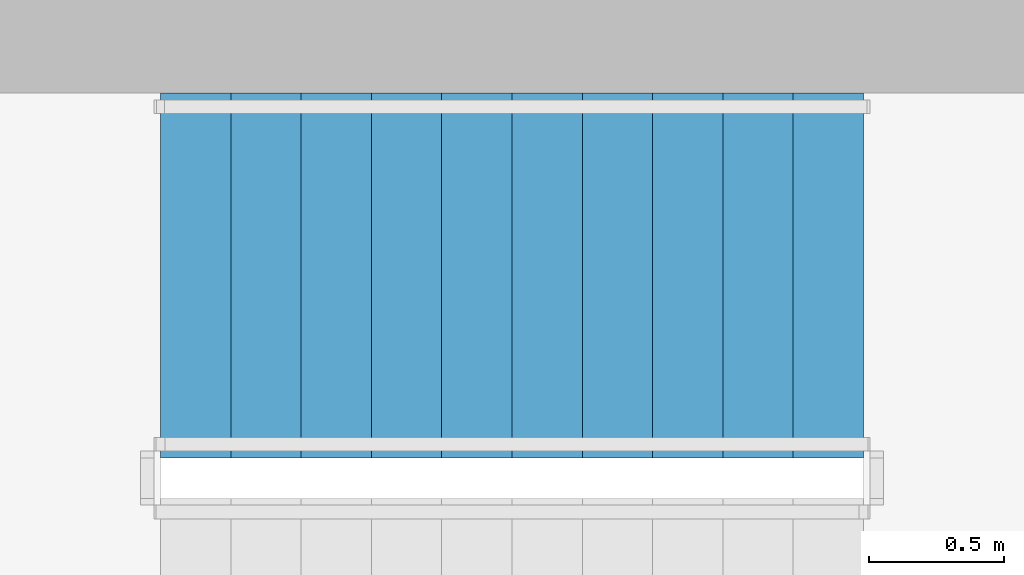
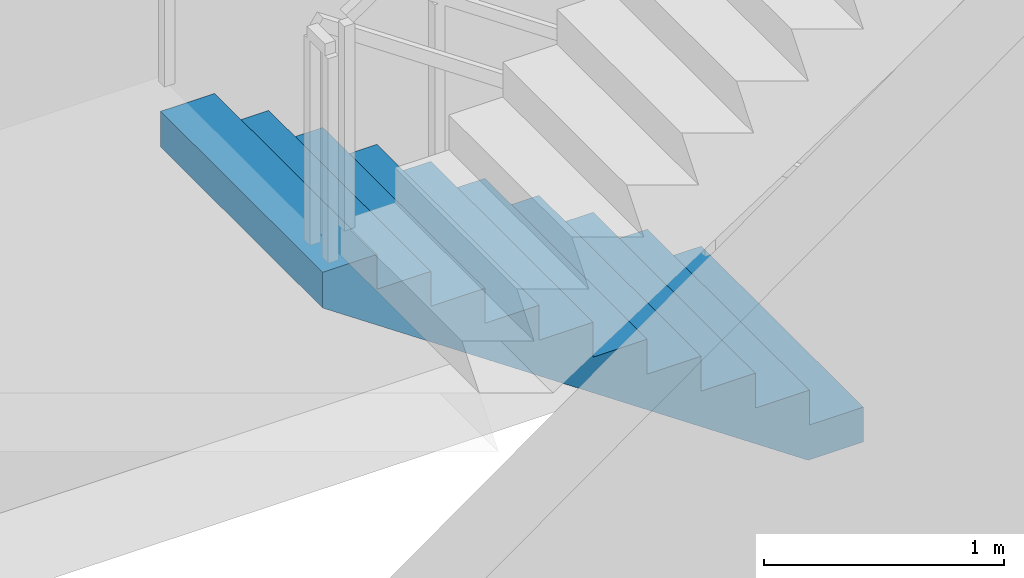
# One storey, part 10 of 16: 1 stair flight, 1 element without a shape of its own.
"""IFC4 building model written with IfcOpenShell, lengths in metres."""

import ifcopenshell
import ifcopenshell.guid

model = None  # the IFC model being written
_history = None  # IfcOwnerHistory: only IFC2X3 demands one
_inside = {}  # id of a spatial element -> (the spatial element, [elements in it])
_under = {}  # id of a project, library or spatial element -> (it, [spatial elements below it])
_declared = {}  # id of a project -> (the project, [libraries it declares])
_typed = {}  # id of a type object -> (the type object, [elements of that type])
_made_of = {}  # id of a material, layer set ... -> (it, [elements and type objects made of it])


def new_model(schema):
    """Start an empty IFC model of exactly this schema.

    Asked for "IFC4X3", IfcOpenShell would pick the latest addendum, in which some entities
    have other attributes; the version numbers below select the first issue.
    IFC2X3 requires an IfcOwnerHistory on every rooted entity: one is made here for all.
    """
    global model, _history
    if schema == "IFC4X3":
        model = ifcopenshell.file(schema_version=(4, 3, 0, 0))
    else:
        model = ifcopenshell.file(schema=schema)
    _inside.clear()
    _under.clear()
    _declared.clear()
    _typed.clear()
    _made_of.clear()
    _history = None
    if model.schema == "IFC2X3":
        org = make("IfcOrganization", Name="unknown")
        user = make(
            "IfcPersonAndOrganization",
            ThePerson=make("IfcPerson", FamilyName="unknown"),
            TheOrganization=org,
        )
        app = make(
            "IfcApplication",
            ApplicationDeveloper=org,
            Version="unknown",
            ApplicationFullName="unknown",
            ApplicationIdentifier="unknown",
        )
        _history = make(
            "IfcOwnerHistory",
            OwningUser=user,
            OwningApplication=app,
            ChangeAction="ADDED",
            CreationDate=0,
        )
    return model


def make(cls, **values):
    """One entity of the class cls with the attributes given. An attribute that is None is left unset."""
    return model.create_entity(
        cls, **{name: value for name, value in values.items() if value is not None}
    )


def rooted(cls, **values):
    """An entity with a GlobalId (a new one), such as an element, a storey or a relation."""
    return make(cls, GlobalId=ifcopenshell.guid.new(), OwnerHistory=_history, **values)


def si_unit(unit_type, name, prefix=None):
    """IfcSIUnit, for example si_unit("LENGTHUNIT", "METRE", prefix="MILLI")."""
    return make("IfcSIUnit", UnitType=unit_type, Prefix=prefix, Name=name)


def assignment(units):
    """IfcUnitAssignment: the units of a project."""
    return None if units is None else make("IfcUnitAssignment", Units=units)


def point(xyz):
    """IfcCartesianPoint."""
    return None if xyz is None else make("IfcCartesianPoint", Coordinates=xyz)


def direction(xyz):
    """IfcDirection."""
    return None if xyz is None else make("IfcDirection", DirectionRatios=xyz)


def frame(location, z_axis=None, x_axis=None):
    """IfcAxis2Placement3D, a coordinate frame: its origin and axes. An axis left out is left unset."""
    return make(
        "IfcAxis2Placement3D",
        Location=point(location),
        Axis=direction(z_axis),
        RefDirection=direction(x_axis),
    )


def origin():
    """The frame at (0, 0, 0) with its axes left unset."""
    return frame((0.0, 0.0, 0.0))


def place(relative_to, where):
    """IfcLocalPlacement: puts the frame where relative to a parent placement (None: the world)."""
    return make(
        "IfcLocalPlacement", PlacementRelTo=relative_to, RelativePlacement=where
    )


def context(
    kind, dimensions, precision=None, world=None, true_north=None, identifier=None
):
    """IfcGeometricRepresentationContext, for example the 3D "Model" context."""
    return make(
        "IfcGeometricRepresentationContext",
        ContextIdentifier=identifier,
        ContextType=kind,
        CoordinateSpaceDimension=dimensions,
        Precision=precision,
        WorldCoordinateSystem=world,
        TrueNorth=true_north,
    )


def subcontext(parent, identifier, kind, view, scale=None):
    """IfcGeometricRepresentationSubContext, for example "Body" below "Model"."""
    return make(
        "IfcGeometricRepresentationSubContext",
        ContextIdentifier=identifier,
        ContextType=kind,
        ParentContext=parent,
        TargetScale=scale,
        TargetView=view,
    )


def project(units=None, contexts=None):
    """IfcProject with its units and contexts."""
    return rooted(
        "IfcProject",
        Name="project",
        RepresentationContexts=contexts,
        UnitsInContext=assignment(units),
    )


def spatial(cls, under=None, at=None, **own):
    """A site, building, storey or space (cls), placed at a placement, below another one or the project."""
    s = rooted(cls, ObjectPlacement=at, **own)
    if under is not None:
        _under.setdefault(under.id(), (under, []))[1].append(s)
    return s


def polyline(points):
    """IfcPolyline through the points."""
    return make("IfcPolyline", Points=[point(p) for p in points])


def outline(outer, holes=None, kind="AREA"):
    """IfcArbitraryClosedProfileDef: a profile drawn as a closed curve; with holes, ...WithVoids."""
    if holes is None:
        return make("IfcArbitraryClosedProfileDef", ProfileType=kind, OuterCurve=outer)
    return make(
        "IfcArbitraryProfileDefWithVoids",
        ProfileType=kind,
        OuterCurve=outer,
        InnerCurves=holes,
    )


def extrude(swept, where, along, depth):
    """IfcExtrudedAreaSolid: the profile swept, set in the frame where, extruded along a direction by depth."""
    return make(
        "IfcExtrudedAreaSolid",
        SweptArea=swept,
        Position=where,
        ExtrudedDirection=direction(along),
        Depth=depth,
    )


def shape(context_of_items, identifier, shape_type, items):
    """IfcShapeRepresentation: the items that make up one representation, for example the "Body"."""
    return make(
        "IfcShapeRepresentation",
        ContextOfItems=context_of_items,
        RepresentationIdentifier=identifier,
        RepresentationType=shape_type,
        Items=items,
    )


def material(Name=None, Category=None):
    """IfcMaterial."""
    return make("IfcMaterial", Name=Name, Category=Category)


def made_of(thing, what):
    """Note that an element or type object is made of a material, layer set ...; save() writes the relation."""
    if what is not None:
        _made_of.setdefault(what.id(), (what, []))[1].append(thing)
    return thing


def type_object(cls, material=None, **own):
    """A type object (cls), such as IfcWallType, which elements share."""
    return made_of(rooted(cls, **own), material)


def element(
    cls,
    number,
    at=None,
    inside=None,
    cuts=None,
    type_object=None,
    material=None,
    context=None,
    identifier="Body",
    shape_type=None,
    held_by="IfcProductDefinitionShape",
    body=None,
    shapes=None,
    **own,
):
    """One element of the class cls, such as IfcWall. Its Tag is "e" and its number.

    at: its placement. inside: the storey or other place that contains it. cuts: it is an
    opening in that element (IfcRelVoidsElement). A single representation is given by context,
    identifier, shape_type and body (its items); several are given by shapes. held_by: the class
    of the entity that holds the representations. save() writes the other relations.
    """
    e = rooted(cls, Tag="e%d" % number, ObjectPlacement=at, **own)
    if body is not None:
        shapes = [shape(context, identifier, shape_type, body)]
    if shapes is not None:
        e.Representation = make(held_by, Representations=shapes)
    if inside is not None:
        _inside.setdefault(inside.id(), (inside, []))[1].append(e)
    if cuts is not None:
        rooted(
            "IfcRelVoidsElement", RelatingBuildingElement=cuts, RelatedOpeningElement=e
        )
    if type_object is not None:
        _typed.setdefault(type_object.id(), (type_object, []))[1].append(e)
    return made_of(e, material)


def aggregate(whole, parts):
    """IfcRelAggregates: a whole, such as a stair, and the parts it consists of."""
    return rooted("IfcRelAggregates", RelatingObject=whole, RelatedObjects=parts)


def save(model, path):
    """Write the relations noted so far, then the file.

    IfcRelAggregates (storeys below a building ...), IfcRelContainedInSpatialStructure (elements
    in a storey), IfcRelDefinesByType, IfcRelAssociatesMaterial and IfcRelDeclares: one each for
    every whole, place, type object, material and project.
    """
    for whole, parts in _under.values():
        aggregate(whole, parts)
    for where, things in _inside.values():
        rooted(
            "IfcRelContainedInSpatialStructure",
            RelatedElements=things,
            RelatingStructure=where,
        )
    for kind, things in _typed.values():
        rooted("IfcRelDefinesByType", RelatedObjects=things, RelatingType=kind)
    for what, things in _made_of.values():
        rooted("IfcRelAssociatesMaterial", RelatedObjects=things, RelatingMaterial=what)
    for by, libraries in _declared.values():
        rooted("IfcRelDeclares", RelatingContext=by, RelatedDefinitions=libraries)
    model.write(path)


model = new_model("IFC4")

# Units and contexts
model_context = context("Model", 3, precision=1e-05, world=origin(), true_north=direction((0.0, 1.0)))
body_context = subcontext(model_context, "Body", "Model", "MODEL_VIEW")
ifc_project = project(units=[si_unit("LENGTHUNIT", "METRE"), si_unit("AREAUNIT", "SQUARE_METRE"), si_unit("VOLUMEUNIT", "CUBIC_METRE"), si_unit("PLANEANGLEUNIT", "RADIAN"), si_unit("MASSUNIT", "GRAM", prefix="KILO")], contexts=[model_context])

# Site, building, storey
site_placement = place(None, origin())
site = spatial("IfcSite", under=ifc_project, at=site_placement, CompositionType="ELEMENT")
building_placement = place(site_placement, origin())
building = spatial("IfcBuilding", under=site, at=building_placement, Name="Khepri Terraces", CompositionType="ELEMENT")
storey_placement = place(building_placement, frame((0.0, 0.0, 157.199951171875)))
storey = spatial("IfcBuildingStorey", under=building, at=storey_placement, Name="L37", CompositionType="ELEMENT", Elevation=157.199951171875)

# Stair, stair flight
ifc_material = material(Name="Concrete C40/50", Category="concrete")
stair_type = type_object("IfcStairType", Name="STAIR-RC-22R", PredefinedType="HALF_TURN_STAIR", material=ifc_material)
stair_placement = place(storey_placement, origin())
stair = element("IfcStair", 1, at=stair_placement, inside=storey, type_object=stair_type, Name="L37 Exit Stair ST-3", PredefinedType="HALF_TURN_STAIR")
stair_flight_type = type_object("IfcStairFlightType", Name="SFL-RC-177.3", PredefinedType="STRAIGHT", material=ifc_material)
stair_flight_placement = place(storey_placement, frame((-0.25, 9.425048828125, 0.0), z_axis=(0.0, 0.0, 1.0), x_axis=(-1.0, 0.0, 0.0)))
stair_flight = element("IfcStairFlight", 2, at=stair_flight_placement, type_object=stair_flight_type, Name="ST-3 flight 1", NumberOfRisers=11, NumberOfTreads=10, PredefinedType="STRAIGHT", RiserHeight=0.177272727, TreadLength=0.26, context=body_context, shape_type="SweptSolid", body=[
    extrude(outline(polyline([(0.0, 0.0), (0.0, 0.17724609375), (0.260009765625, 0.17724609375), (0.260009765625, 0.3544921875), (0.52001953125, 0.3544921875), (0.52001953125, 0.53173828125), (0.780029296875, 0.53173828125), (0.780029296875, 0.708984375), (1.0400390625, 0.708984375), (1.0400390625, 0.886474609375), (1.300048828125, 0.886474609375), (1.300048828125, 1.063720703125), (1.56005859375, 1.063720703125), (1.56005859375, 1.240966796875), (1.820068359375, 1.240966796875), (1.820068359375, 1.418212890625), (2.080078125, 1.418212890625), (2.080078125, 1.595458984375), (2.340087890625, 1.595458984375), (2.340087890625, 1.772705078125), (2.60009765625, 1.772705078125), (2.60009765625, 1.949951171875), (2.60009765625, 1.59130859375), (0.26611328125, 0.0), (0.0, 0.0)])), frame((0.0, 0.675048828125, 0.0), z_axis=(0.0, -1.0, 0.0), x_axis=(1.0, 0.0, 0.0)), (0.0, 0.0, 1.0), 1.35009765625),
])
aggregate(stair, [stair_flight])

save(model, "model.ifc")
